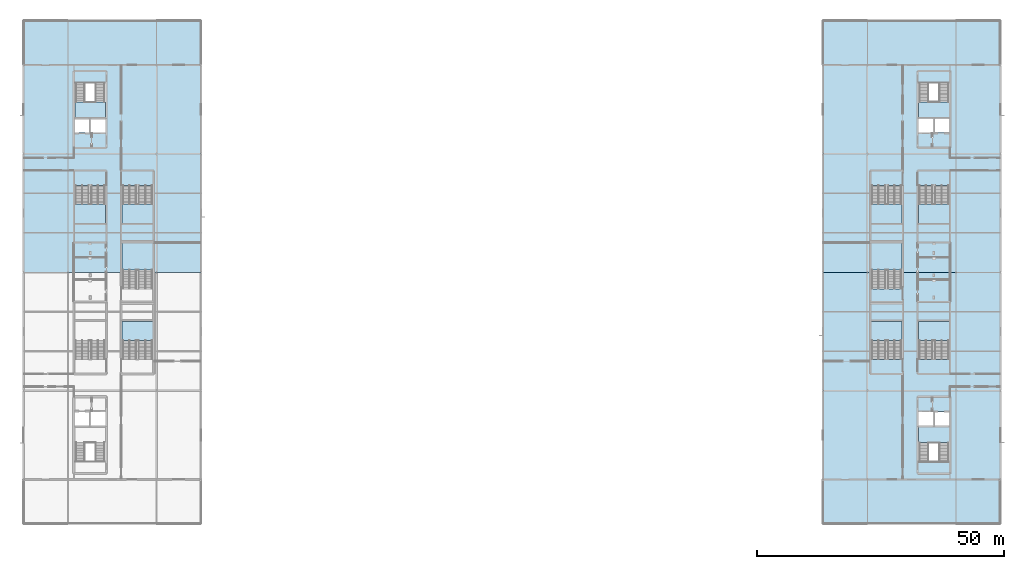
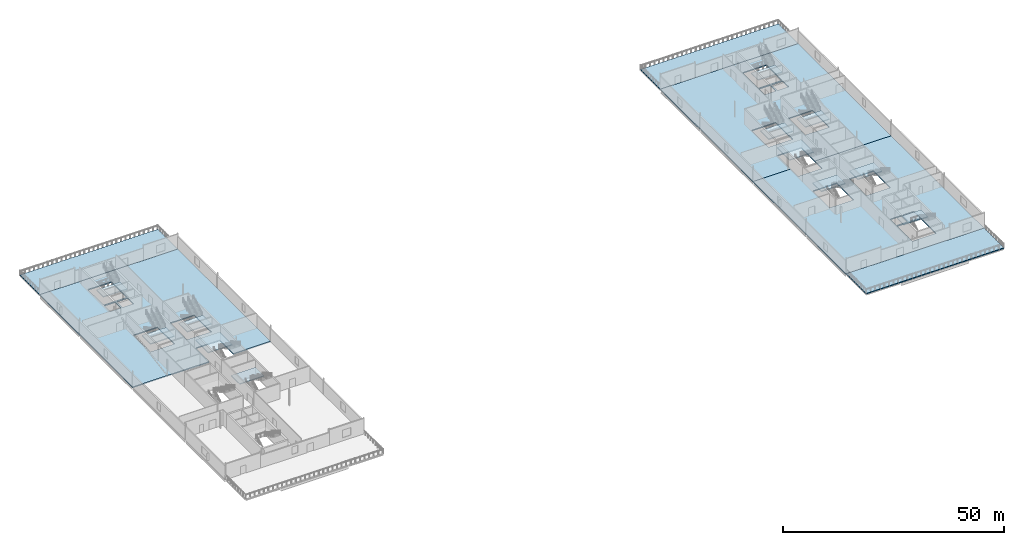
# One storey, part 10 of 28: 18 slabs, 12 elements without a shape of their own.
"""IFC4 building model written with IfcOpenShell, lengths in metres."""

from ifc_helpers import new_model, si_unit, direction, frame, origin, place, context, subcontext, project, spatial, polyline, outline, extrude, material, layer, layer_set, type_object, element, aggregate, save


model = new_model("IFC4")

# Units and contexts
model_context = context("Model", 3, precision=1e-05, world=origin(), true_north=direction((0.0, 1.0)))
body_context = subcontext(model_context, "Body", "Model", "MODEL_VIEW")
ifc_project = project(units=[si_unit("LENGTHUNIT", "METRE"), si_unit("AREAUNIT", "SQUARE_METRE"), si_unit("VOLUMEUNIT", "CUBIC_METRE"), si_unit("PLANEANGLEUNIT", "RADIAN"), si_unit("MASSUNIT", "GRAM", prefix="KILO")], contexts=[model_context])

# Site, building, storey
site_placement = place(None, origin())
site = spatial("IfcSite", under=ifc_project, at=site_placement, CompositionType="ELEMENT")
building_placement = place(site_placement, origin())
building = spatial("IfcBuilding", under=site, at=building_placement, Name="Kisiwana Market Hall", CompositionType="ELEMENT")
storey_placement = place(building_placement, frame((0.0, 0.0, 49.5)))
storey = spatial("IfcBuildingStorey", under=building, at=storey_placement, Name="L11", CompositionType="ELEMENT", Elevation=49.5)

# Stair, slab
ifc_material_1 = material(Name="Concrete C32/40", Category="concrete")
stair_type_1 = type_object("IfcStairType", Name="ST-TWR-4500", PredefinedType="TWO_STRAIGHT_RUN_STAIR", material=ifc_material_1)
stair_1_placement = place(storey_placement, origin())
stair_1 = element("IfcStair", 1, at=stair_1_placement, inside=storey, type_object=stair_type_1, Name="Escape stair ST-W1-L11", PredefinedType="TWO_STRAIGHT_RUN_STAIR")
ifc_material_2 = material(Name="Concrete C32/40", Category="concrete")
ifc_layer_1 = layer(ifc_material_2, 0.239990234375)
ifc_layer_set_1 = layer_set([ifc_layer_1], Name="SL-LANDING-160")
slab_type_1 = type_object("IfcSlabType", Name="SL-LANDING-160", PredefinedType="LANDING", material=ifc_layer_set_1)
slab_1_placement = place(storey_placement, frame((0.0, 0.0, 2.010009765625)))
slab_1 = element("IfcSlab", 2, at=slab_1_placement, type_object=slab_type_1, Name="ST-W1-L11 landing 1 S-391", PredefinedType="LANDING", context=body_context, shape_type="SweptSolid", body=[
    extrude(outline(polyline([(10.405029296875, 91.35498046875), (16.594970703125, 91.35498046875), (16.594970703125, 94.490966796875), (10.405029296875, 94.490966796875), (10.405029296875, 91.35498046875)])), origin(), (0.0, 0.0, 1.0), 0.239990234375),
])
aggregate(stair_1, [slab_1])

stair_2_placement = place(storey_placement, origin())
stair_2 = element("IfcStair", 3, at=stair_2_placement, inside=storey, type_object=stair_type_1, Name="Escape stair ST-E2-L11", PredefinedType="TWO_STRAIGHT_RUN_STAIR")
slab_2_placement = place(storey_placement, frame((0.0, 0.0, 2.010009765625)))
slab_2 = element("IfcSlab", 4, at=slab_2_placement, type_object=slab_type_1, Name="ST-E2-L11 landing 1 S-385", PredefinedType="LANDING", context=body_context, shape_type="SweptSolid", body=[
    extrude(outline(polyline([(181.3798828125, 25.48388671875), (187.6201171875, 25.48388671875), (187.6201171875, 28.6201171875), (181.3798828125, 28.6201171875), (181.3798828125, 25.48388671875)])), origin(), (0.0, 0.0, 1.0), 0.239990234375),
])
aggregate(stair_2, [slab_2])

stair_3_placement = place(storey_placement, origin())
stair_3 = element("IfcStair", 5, at=stair_3_placement, inside=storey, type_object=stair_type_1, Name="Escape stair ST-E1-L11", PredefinedType="TWO_STRAIGHT_RUN_STAIR")
slab_3_placement = place(storey_placement, frame((0.0, 0.0, 2.010009765625)))
slab_3 = element("IfcSlab", 6, at=slab_3_placement, type_object=slab_type_1, Name="ST-E1-L11 landing 1 S-384", PredefinedType="LANDING", context=body_context, shape_type="SweptSolid", body=[
    extrude(outline(polyline([(181.3798828125, 91.3798828125), (187.6201171875, 91.3798828125), (187.6201171875, 94.51611328125), (181.3798828125, 94.51611328125), (181.3798828125, 91.3798828125)])), origin(), (0.0, 0.0, 1.0), 0.239990234375),
])
aggregate(stair_3, [slab_3])

ifc_material_3 = material(Name="Concrete C32/40", Category="concrete")
stair_type_2 = type_object("IfcStairType", Name="ST-ESC-4500", PredefinedType="TWO_STRAIGHT_RUN_STAIR", material=ifc_material_3)
stair_4_placement = place(storey_placement, origin())
stair_4 = element("IfcStair", 7, at=stair_4_placement, inside=storey, type_object=stair_type_2, Name="Escape stair ST-W4-L11", PredefinedType="TWO_STRAIGHT_RUN_STAIR")
slab_4_placement = place(storey_placement, frame((0.0, 0.0, 2.010009765625)))
slab_4 = element("IfcSlab", 8, at=slab_4_placement, type_object=slab_type_1, Name="ST-W4-L11 landing 1 S-394", PredefinedType="LANDING", context=body_context, shape_type="SweptSolid", body=[
    extrude(outline(polyline([(10.340087890625, 69.93994140625), (16.659912109375, 69.93994140625), (16.659912109375, 73.805419921875), (10.340087890625, 73.805419921875), (10.340087890625, 69.93994140625)])), origin(), (0.0, 0.0, 1.0), 0.239990234375),
])
aggregate(stair_4, [slab_4])

stair_5_placement = place(storey_placement, origin())
stair_5 = element("IfcStair", 9, at=stair_5_placement, inside=storey, type_object=stair_type_2, Name="Escape stair ST-E3-L11", PredefinedType="TWO_STRAIGHT_RUN_STAIR")
slab_5_placement = place(storey_placement, frame((0.0, 0.0, 2.010009765625)))
slab_5 = element("IfcSlab", 10, at=slab_5_placement, type_object=slab_type_1, Name="ST-E3-L11 landing 1 S-386", PredefinedType="LANDING", context=body_context, shape_type="SweptSolid", body=[
    extrude(outline(polyline([(181.340087890625, 46.194580078125), (187.659912109375, 46.194580078125), (187.659912109375, 50.06005859375), (181.340087890625, 50.06005859375), (181.340087890625, 46.194580078125)])), origin(), (0.0, 0.0, 1.0), 0.239990234375),
])
aggregate(stair_5, [slab_5])

stair_6_placement = place(storey_placement, origin())
stair_6 = element("IfcStair", 11, at=stair_6_placement, inside=storey, type_object=stair_type_2, Name="Escape stair ST-E4-L11", PredefinedType="TWO_STRAIGHT_RUN_STAIR")
slab_6_placement = place(storey_placement, frame((0.0, 0.0, 2.010009765625)))
slab_6 = element("IfcSlab", 12, at=slab_6_placement, type_object=slab_type_1, Name="ST-E4-L11 landing 1 S-387", PredefinedType="LANDING", context=body_context, shape_type="SweptSolid", body=[
    extrude(outline(polyline([(181.340087890625, 69.93994140625), (187.659912109375, 69.93994140625), (187.659912109375, 73.805419921875), (181.340087890625, 73.805419921875), (181.340087890625, 69.93994140625)])), origin(), (0.0, 0.0, 1.0), 0.239990234375),
])
aggregate(stair_6, [slab_6])

stair_7_placement = place(storey_placement, origin())
stair_7 = element("IfcStair", 13, at=stair_7_placement, inside=storey, type_object=stair_type_2, Name="Escape stair ST-W7-L11", PredefinedType="TWO_STRAIGHT_RUN_STAIR")
slab_7_placement = place(storey_placement, frame((0.0, 0.0, 2.010009765625)))
slab_7 = element("IfcSlab", 14, at=slab_7_placement, type_object=slab_type_1, Name="ST-W7-L11 landing 1 S-396", PredefinedType="LANDING", context=body_context, shape_type="SweptSolid", body=[
    extrude(outline(polyline([(19.93994140625, 46.194580078125), (26.260009765625, 46.194580078125), (26.260009765625, 50.06005859375), (19.93994140625, 50.06005859375), (19.93994140625, 46.194580078125)])), origin(), (0.0, 0.0, 1.0), 0.239990234375),
])
aggregate(stair_7, [slab_7])

stair_8_placement = place(storey_placement, origin())
stair_8 = element("IfcStair", 15, at=stair_8_placement, inside=storey, type_object=stair_type_2, Name="Escape stair ST-E7-L11", PredefinedType="TWO_STRAIGHT_RUN_STAIR")
slab_8_placement = place(storey_placement, frame((0.0, 0.0, 2.010009765625)))
slab_8 = element("IfcSlab", 16, at=slab_8_placement, type_object=slab_type_1, Name="ST-E7-L11 landing 1 S-389", PredefinedType="LANDING", context=body_context, shape_type="SweptSolid", body=[
    extrude(outline(polyline([(171.739990234375, 46.194580078125), (178.06005859375, 46.194580078125), (178.06005859375, 50.06005859375), (171.739990234375, 50.06005859375), (171.739990234375, 46.194580078125)])), origin(), (0.0, 0.0, 1.0), 0.239990234375),
])
aggregate(stair_8, [slab_8])

stair_9_placement = place(storey_placement, origin())
stair_9 = element("IfcStair", 17, at=stair_9_placement, inside=storey, type_object=stair_type_2, Name="Escape stair ST-W8-L11", PredefinedType="TWO_STRAIGHT_RUN_STAIR")
slab_9_placement = place(storey_placement, frame((0.0, 0.0, 2.010009765625)))
slab_9 = element("IfcSlab", 18, at=slab_9_placement, type_object=slab_type_1, Name="ST-W8-L11 landing 1 S-397", PredefinedType="LANDING", context=body_context, shape_type="SweptSolid", body=[
    extrude(outline(polyline([(19.93994140625, 69.93994140625), (26.260009765625, 69.93994140625), (26.260009765625, 73.805419921875), (19.93994140625, 73.805419921875), (19.93994140625, 69.93994140625)])), origin(), (0.0, 0.0, 1.0), 0.239990234375),
])
aggregate(stair_9, [slab_9])

stair_10_placement = place(storey_placement, origin())
stair_10 = element("IfcStair", 19, at=stair_10_placement, inside=storey, type_object=stair_type_2, Name="Escape stair ST-E8-L11", PredefinedType="TWO_STRAIGHT_RUN_STAIR")
slab_10_placement = place(storey_placement, frame((0.0, 0.0, 2.010009765625)))
slab_10 = element("IfcSlab", 20, at=slab_10_placement, type_object=slab_type_1, Name="ST-E8-L11 landing 1 S-390", PredefinedType="LANDING", context=body_context, shape_type="SweptSolid", body=[
    extrude(outline(polyline([(171.739990234375, 69.93994140625), (178.06005859375, 69.93994140625), (178.06005859375, 73.805419921875), (171.739990234375, 73.805419921875), (171.739990234375, 69.93994140625)])), origin(), (0.0, 0.0, 1.0), 0.239990234375),
])
aggregate(stair_10, [slab_10])

stair_11_placement = place(storey_placement, origin())
stair_11 = element("IfcStair", 21, at=stair_11_placement, inside=storey, type_object=stair_type_2, Name="Escape stair ST-W5-L11", PredefinedType="TWO_STRAIGHT_RUN_STAIR")
slab_11_placement = place(storey_placement, frame((0.0, 0.0, 2.010009765625)))
slab_11 = element("IfcSlab", 22, at=slab_11_placement, type_object=slab_type_1, Name="ST-W5-L11 landing 1 S-395", PredefinedType="LANDING", context=body_context, shape_type="SweptSolid", body=[
    extrude(outline(polyline([(19.93994140625, 60.474609375), (26.260009765625, 60.474609375), (26.260009765625, 66.179931640625), (19.93994140625, 66.179931640625), (19.93994140625, 60.474609375)])), origin(), (0.0, 0.0, 1.0), 0.239990234375),
])
aggregate(stair_11, [slab_11])

stair_12_placement = place(storey_placement, origin())
stair_12 = element("IfcStair", 23, at=stair_12_placement, inside=storey, type_object=stair_type_2, Name="Escape stair ST-E5-L11", PredefinedType="TWO_STRAIGHT_RUN_STAIR")
slab_12_placement = place(storey_placement, frame((0.0, 0.0, 2.010009765625)))
slab_12 = element("IfcSlab", 24, at=slab_12_placement, type_object=slab_type_1, Name="ST-E5-L11 landing 1 S-388", PredefinedType="LANDING", context=body_context, shape_type="SweptSolid", body=[
    extrude(outline(polyline([(171.739990234375, 60.474609375), (178.06005859375, 60.474609375), (178.06005859375, 66.179931640625), (171.739990234375, 66.179931640625), (171.739990234375, 60.474609375)])), origin(), (0.0, 0.0, 1.0), 0.239990234375),
])
aggregate(stair_12, [slab_12])

# Slabs
ifc_material_4 = material(Name="Concrete C32/40", Category="concrete")
ifc_layer_2 = layer(ifc_material_4, 0.280029296875)
ifc_layer_set_2 = layer_set([ifc_layer_2], Name="SL-PLANT-280")
slab_type_2 = type_object("IfcSlabType", Name="SL-PLANT-280", PredefinedType="FLOOR", material=ifc_layer_set_2)
slab_13_placement = place(storey_placement, frame((0.0, 0.0, -0.280029296875)))
element("IfcSlab", 25, at=slab_13_placement, inside=storey, type_object=slab_type_2, Name="Structural slab S-381", PredefinedType="FLOOR", context=body_context, shape_type="SweptSolid", body=[
    extrude(outline(polyline([(0.0, 60.0), (19.9599609375, 60.0), (19.9599609375, 66.159912109375), (26.239990234375, 66.159912109375), (26.239990234375, 60.0), (36.0, 60.0), (36.0, 102.0), (0.0, 102.0), (0.0, 60.0)]), holes=[polyline([(10.425048828125, 91.375), (16.574951171875, 91.375), (16.574951171875, 98.324951171875), (10.425048828125, 98.324951171875), (10.425048828125, 91.375)]), polyline([(10.425048828125, 88.324951171875), (13.340087890625, 88.324951171875), (13.340087890625, 91.054931640625), (10.425048828125, 91.054931640625), (10.425048828125, 88.324951171875)]), polyline([(13.659912109375, 88.324951171875), (16.574951171875, 88.324951171875), (16.574951171875, 91.054931640625), (13.659912109375, 91.054931640625), (13.659912109375, 88.324951171875)]), polyline([(10.360107421875, 69.9599609375), (16.639892578125, 69.9599609375), (16.639892578125, 77.6201171875), (10.360107421875, 77.6201171875), (10.360107421875, 69.9599609375)]), polyline([(19.9599609375, 69.9599609375), (26.239990234375, 69.9599609375), (26.239990234375, 77.6201171875), (19.9599609375, 77.6201171875), (19.9599609375, 69.9599609375)])]), origin(), (0.0, 0.0, 1.0), 0.280029296875),
])
slab_14_placement = place(storey_placement, frame((0.0, 0.0, -0.280029296875)))
element("IfcSlab", 26, at=slab_14_placement, inside=storey, type_object=slab_type_2, Name="Structural slab S-382", PredefinedType="FLOOR", context=body_context, shape_type="SweptSolid", body=[
    extrude(outline(polyline([(162.0, 18.0), (198.0, 18.0), (198.0, 60.0), (178.0400390625, 60.0), (178.0400390625, 56.659912109375), (171.760009765625, 56.659912109375), (171.760009765625, 60.0), (162.0, 60.0), (162.0, 18.0)]), holes=[polyline([(181.39990234375, 21.64990234375), (187.60009765625, 21.64990234375), (187.60009765625, 28.60009765625), (181.39990234375, 28.60009765625), (181.39990234375, 21.64990234375)]), polyline([(181.39990234375, 28.919921875), (184.340087890625, 28.919921875), (184.340087890625, 31.64990234375), (181.39990234375, 31.64990234375), (181.39990234375, 28.919921875)]), polyline([(184.659912109375, 28.919921875), (187.60009765625, 28.919921875), (187.60009765625, 31.64990234375), (184.659912109375, 31.64990234375), (184.659912109375, 28.919921875)]), polyline([(181.360107421875, 42.3798828125), (187.639892578125, 42.3798828125), (187.639892578125, 50.0400390625), (181.360107421875, 50.0400390625), (181.360107421875, 42.3798828125)]), polyline([(171.760009765625, 42.3798828125), (178.0400390625, 42.3798828125), (178.0400390625, 50.0400390625), (171.760009765625, 50.0400390625), (171.760009765625, 42.3798828125)])]), origin(), (0.0, 0.0, 1.0), 0.280029296875),
])
slab_15_placement = place(storey_placement, frame((0.0, 0.0, -0.280029296875)))
element("IfcSlab", 27, at=slab_15_placement, inside=storey, type_object=slab_type_2, Name="Structural slab S-383", PredefinedType="FLOOR", context=body_context, shape_type="SweptSolid", body=[
    extrude(outline(polyline([(162.0, 60.0), (171.760009765625, 60.0), (171.760009765625, 66.159912109375), (178.0400390625, 66.159912109375), (178.0400390625, 60.0), (198.0, 60.0), (198.0, 102.0), (162.0, 102.0), (162.0, 60.0)]), holes=[polyline([(181.39990234375, 91.39990234375), (187.60009765625, 91.39990234375), (187.60009765625, 98.35009765625), (181.39990234375, 98.35009765625), (181.39990234375, 91.39990234375)]), polyline([(181.39990234375, 88.35009765625), (184.340087890625, 88.35009765625), (184.340087890625, 91.080078125), (181.39990234375, 91.080078125), (181.39990234375, 88.35009765625)]), polyline([(184.659912109375, 88.35009765625), (187.60009765625, 88.35009765625), (187.60009765625, 91.080078125), (184.659912109375, 91.080078125), (184.659912109375, 88.35009765625)]), polyline([(181.360107421875, 69.9599609375), (187.639892578125, 69.9599609375), (187.639892578125, 77.6201171875), (181.360107421875, 77.6201171875), (181.360107421875, 69.9599609375)]), polyline([(171.760009765625, 69.9599609375), (178.0400390625, 69.9599609375), (178.0400390625, 77.6201171875), (171.760009765625, 77.6201171875), (171.760009765625, 69.9599609375)])]), origin(), (0.0, 0.0, 1.0), 0.280029296875),
])
ifc_material_5 = material(Name="Concrete C32/40", Category="concrete")
ifc_layer_3 = layer(ifc_material_5, 0.258056640625)
ifc_layer_set_3 = layer_set([ifc_layer_3], Name="SL-TERR-240")
slab_type_3 = type_object("IfcSlabType", Name="SL-TERR-240", PredefinedType="FLOOR", material=ifc_layer_set_3)
slab_16_placement = place(storey_placement, frame((0.0, 0.0, -0.258056640625)))
element("IfcSlab", 28, at=slab_16_placement, inside=storey, type_object=slab_type_3, Name="Exterior terrace slab S-400", PredefinedType="FLOOR", context=body_context, shape_type="SweptSolid", body=[
    extrude(outline(polyline([(0.0, 102.0), (36.0, 102.0), (36.0, 111.0), (0.0, 111.0), (0.0, 102.0)])), origin(), (0.0, 0.0, 1.0), 0.258056640625),
])
slab_17_placement = place(storey_placement, frame((0.0, 0.0, -0.258056640625)))
element("IfcSlab", 29, at=slab_17_placement, inside=storey, type_object=slab_type_3, Name="Exterior terrace slab S-399", PredefinedType="FLOOR", context=body_context, shape_type="SweptSolid", body=[
    extrude(outline(polyline([(162.0, 9.0), (198.0, 9.0), (198.0, 18.0), (162.0, 18.0), (162.0, 9.0)])), origin(), (0.0, 0.0, 1.0), 0.258056640625),
])
slab_18_placement = place(storey_placement, frame((0.0, 0.0, -0.258056640625)))
element("IfcSlab", 30, at=slab_18_placement, inside=storey, type_object=slab_type_3, Name="Exterior terrace slab S-398", PredefinedType="FLOOR", context=body_context, shape_type="SweptSolid", body=[
    extrude(outline(polyline([(162.0, 102.0), (198.0, 102.0), (198.0, 111.0), (162.0, 111.0), (162.0, 102.0)])), origin(), (0.0, 0.0, 1.0), 0.258056640625),
])

save(model, "model.ifc")
